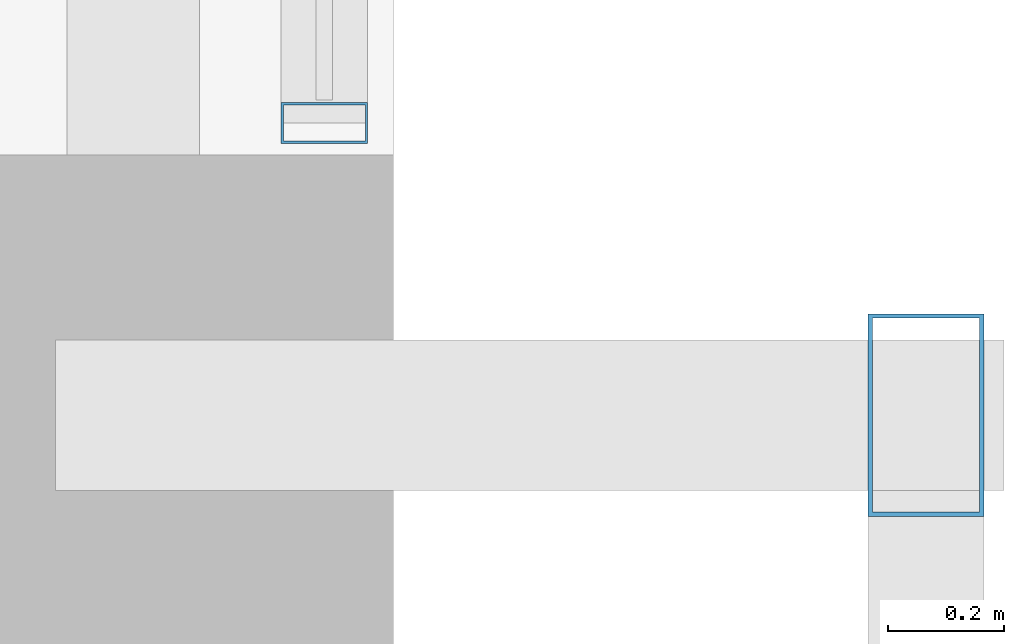
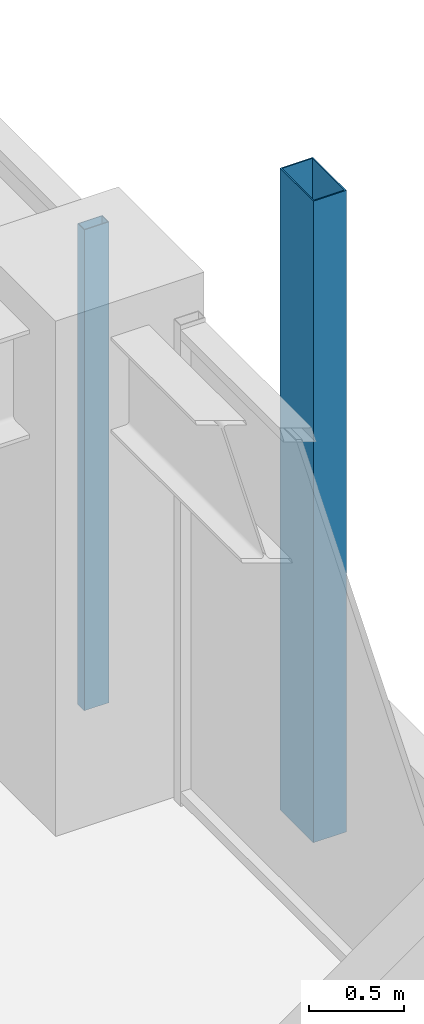
# One storey, part 15 of 37: 2 members, 1 element without a shape of its own.
"""IFC4 building model written with IfcOpenShell, lengths in metres."""

from ifc_helpers import new_model, si_unit, direction, frame, origin, origin_2d, place, context, subcontext, project, spatial, hollow_rectangle, extrude, material, material_profile, profile_set, type_object, element, aggregate, save


model = new_model("IFC4")

# Units and contexts
model_context = context("Model", 3, precision=1e-05, world=origin(), true_north=direction((0.0, 1.0)))
body_context = subcontext(model_context, "Body", "Model", "MODEL_VIEW")
ifc_project = project(units=[si_unit("LENGTHUNIT", "METRE"), si_unit("AREAUNIT", "SQUARE_METRE"), si_unit("VOLUMEUNIT", "CUBIC_METRE"), si_unit("PLANEANGLEUNIT", "RADIAN"), si_unit("MASSUNIT", "GRAM", prefix="KILO")], contexts=[model_context])

# Site, building, storey
site_placement = place(None, origin())
site = spatial("IfcSite", under=ifc_project, at=site_placement, CompositionType="ELEMENT")
building_placement = place(site_placement, origin())
building = spatial("IfcBuilding", under=site, at=building_placement, Name="Kolvaren Belvedere", CompositionType="ELEMENT")
storey_placement = place(building_placement, frame((0.0, 0.0, 173.39990234375)))
storey = spatial("IfcBuildingStorey", under=building, at=storey_placement, Name="L50", CompositionType="ELEMENT", Elevation=173.39990234375)

# Curtain wall, member
ifc_material_1 = material(Name="Anodised pale-metal aluminium AA 6063-T6", Category="aluminium")
curtain_wall_type = type_object("IfcCurtainWallType", Name="CW-Z5-HIGH", PredefinedType="NOTDEFINED", material=ifc_material_1)
curtain_wall_placement = place(storey_placement, origin())
curtain_wall = element("IfcCurtainWall", 1, at=curtain_wall_placement, inside=storey, type_object=curtain_wall_type, Name="L50 Unitised Curtain Wall FCW-L50-E-B1", PredefinedType="NOTDEFINED")
ifc_material_2 = material(Name="Anodised pale-metal aluminium AA 6063-T6", Category="aluminium")
ifc_material_profile_1 = material_profile(ifc_material_2, hollow_rectangle(XDim=0.070068359375, YDim=0.14990234375, WallThickness=0.004150390625, at=origin_2d()), Name="ALU-MUL-150X70")
ifc_profile_set_1 = profile_set([ifc_material_profile_1], Name="Anodised pale-metal aluminium AA 6063-T6")
member_type_1 = type_object("IfcMemberType", Name="CW-MUL-150", PredefinedType="MULLION", material=ifc_profile_set_1)
member_1_placement = place(storey_placement, frame((20.280029296875, 5.10498046875, 0.0), z_axis=(0.0, 0.0, 1.0), x_axis=(0.0, 1.0, 0.0)))
member_1 = element("IfcMember", 2, at=member_1_placement, type_object=member_type_1, Name="FCW-L50-E-B1 Unitised Mullion 3", PredefinedType="MULLION", context=body_context, shape_type="SweptSolid", body=[
    extrude(hollow_rectangle(XDim=0.070068359375, YDim=0.14990234375, WallThickness=0.004150390625, at=origin_2d()), origin(), (0.0, 0.0, 1.0), 3.080078125),
])
aggregate(curtain_wall, [member_1])

# Member
ifc_material_3 = material(Name="Anodised pale-metal aluminium AA 6063-T6", Category="aluminium")
ifc_material_profile_2 = material_profile(ifc_material_3, hollow_rectangle(XDim=0.199951171875, YDim=0.35009765625, WallThickness=0.007568359375, at=origin_2d()), Name="ALU-PF-350X200")
ifc_profile_set_2 = profile_set([ifc_material_profile_2], Name="Anodised pale-metal aluminium AA 6063-T6")
member_type_2 = type_object("IfcMemberType", Name="PF-FRAME-350", PredefinedType="USERDEFINED", material=ifc_profile_set_2)
member_2_placement = place(storey_placement, frame((21.320068359375, 4.60009765625, -0.809814453125), z_axis=(0.0, 0.0, 1.0), x_axis=(1.0, 0.0, 0.0)))
element("IfcMember", 3, at=member_2_placement, inside=storey, type_object=member_type_2, Name="L50 Outboard Picture-Frame Vertical E1", ObjectType="PICTURE FRAME FIN", PredefinedType="USERDEFINED", context=body_context, shape_type="SweptSolid", body=[
    extrude(hollow_rectangle(XDim=0.199951171875, YDim=0.35009765625, WallThickness=0.007568359375, at=origin_2d()), origin(), (0.0, 0.0, 1.0), 4.10986328125),
])

save(model, "model.ifc")
